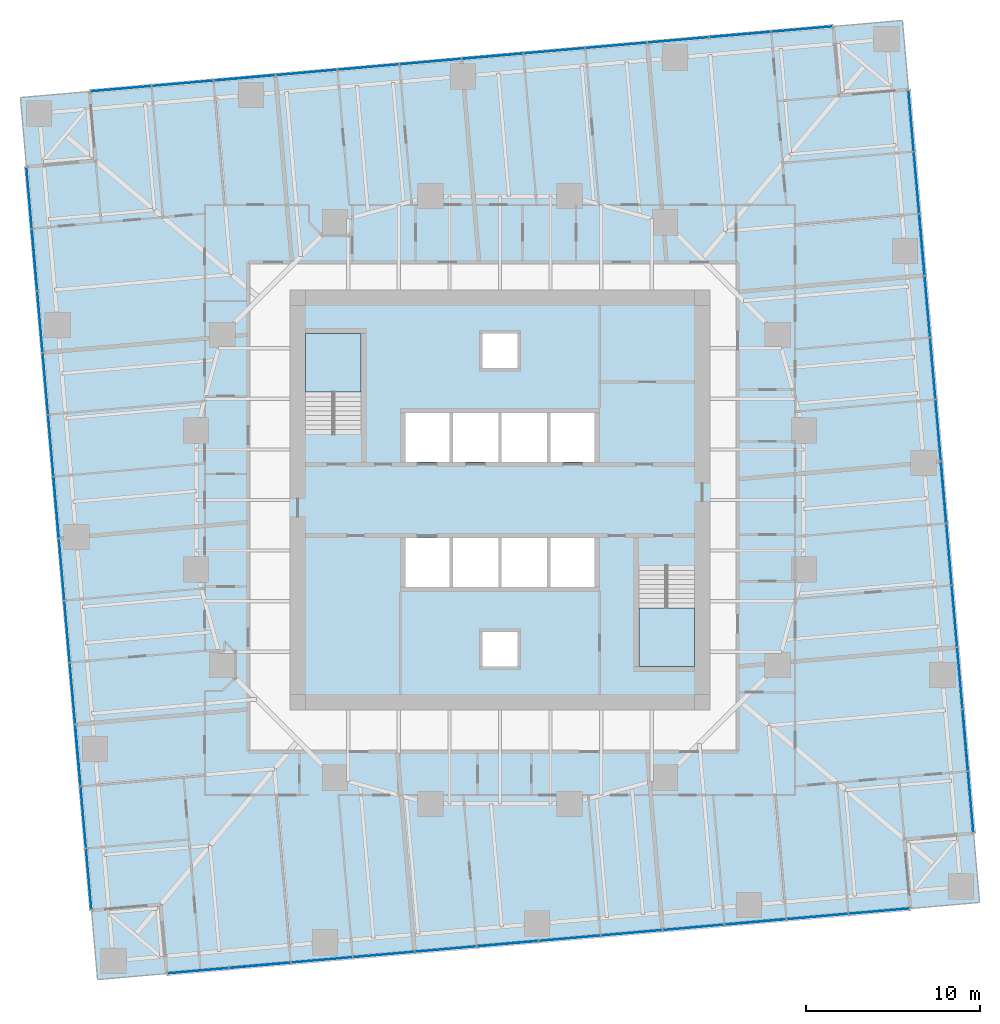
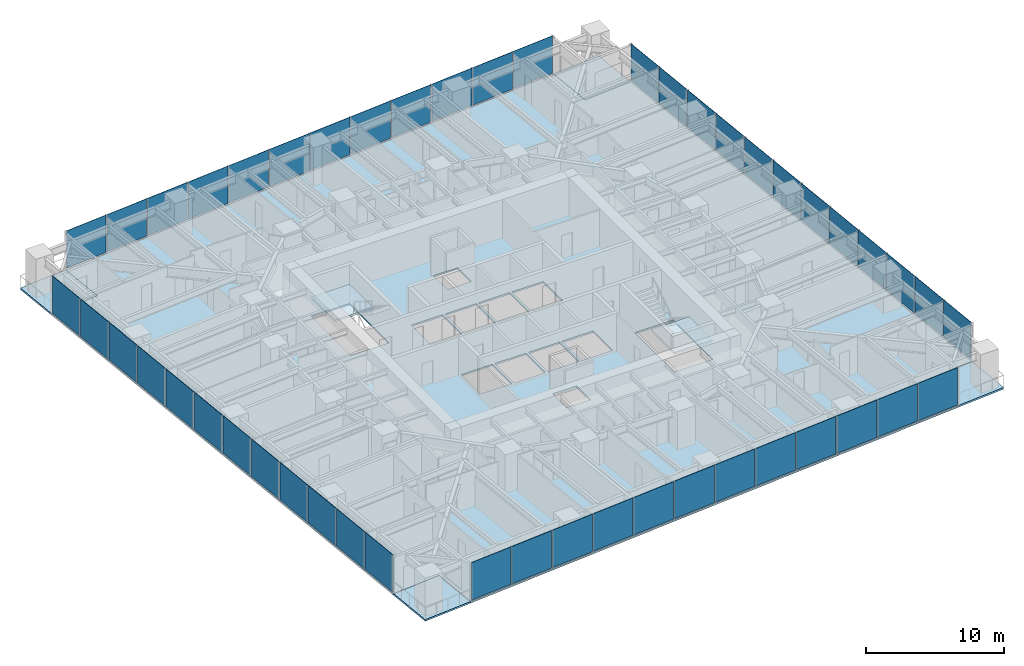
# One storey, part 7 of 14: 48 plates, 7 slabs, 6 elements without a shape of their own.
"""IFC4 building model written with IfcOpenShell, lengths in metres."""

import ifcopenshell
import ifcopenshell.guid

model = None  # the IFC model being written
_history = None  # IfcOwnerHistory: only IFC2X3 demands one
_inside = {}  # id of a spatial element -> (the spatial element, [elements in it])
_under = {}  # id of a project, library or spatial element -> (it, [spatial elements below it])
_declared = {}  # id of a project -> (the project, [libraries it declares])
_typed = {}  # id of a type object -> (the type object, [elements of that type])
_made_of = {}  # id of a material, layer set ... -> (it, [elements and type objects made of it])


def new_model(schema):
    """Start an empty IFC model of exactly this schema.

    Asked for "IFC4X3", IfcOpenShell would pick the latest addendum, in which some entities
    have other attributes; the version numbers below select the first issue.
    IFC2X3 requires an IfcOwnerHistory on every rooted entity: one is made here for all.
    """
    global model, _history
    if schema == "IFC4X3":
        model = ifcopenshell.file(schema_version=(4, 3, 0, 0))
    else:
        model = ifcopenshell.file(schema=schema)
    _inside.clear()
    _under.clear()
    _declared.clear()
    _typed.clear()
    _made_of.clear()
    _history = None
    if model.schema == "IFC2X3":
        org = make("IfcOrganization", Name="unknown")
        user = make(
            "IfcPersonAndOrganization",
            ThePerson=make("IfcPerson", FamilyName="unknown"),
            TheOrganization=org,
        )
        app = make(
            "IfcApplication",
            ApplicationDeveloper=org,
            Version="unknown",
            ApplicationFullName="unknown",
            ApplicationIdentifier="unknown",
        )
        _history = make(
            "IfcOwnerHistory",
            OwningUser=user,
            OwningApplication=app,
            ChangeAction="ADDED",
            CreationDate=0,
        )
    return model


def make(cls, **values):
    """One entity of the class cls with the attributes given. An attribute that is None is left unset."""
    return model.create_entity(
        cls, **{name: value for name, value in values.items() if value is not None}
    )


def rooted(cls, **values):
    """An entity with a GlobalId (a new one), such as an element, a storey or a relation."""
    return make(cls, GlobalId=ifcopenshell.guid.new(), OwnerHistory=_history, **values)


def si_unit(unit_type, name, prefix=None):
    """IfcSIUnit, for example si_unit("LENGTHUNIT", "METRE", prefix="MILLI")."""
    return make("IfcSIUnit", UnitType=unit_type, Prefix=prefix, Name=name)


def assignment(units):
    """IfcUnitAssignment: the units of a project."""
    return None if units is None else make("IfcUnitAssignment", Units=units)


def point(xyz):
    """IfcCartesianPoint."""
    return None if xyz is None else make("IfcCartesianPoint", Coordinates=xyz)


def direction(xyz):
    """IfcDirection."""
    return None if xyz is None else make("IfcDirection", DirectionRatios=xyz)


def frame(location, z_axis=None, x_axis=None):
    """IfcAxis2Placement3D, a coordinate frame: its origin and axes. An axis left out is left unset."""
    return make(
        "IfcAxis2Placement3D",
        Location=point(location),
        Axis=direction(z_axis),
        RefDirection=direction(x_axis),
    )


def frame_2d(location, x_axis=None):
    """IfcAxis2Placement2D, a coordinate frame in the plane: its origin and x axis."""
    return make(
        "IfcAxis2Placement2D", Location=point(location), RefDirection=direction(x_axis)
    )


def origin():
    """The frame at (0, 0, 0) with its axes left unset."""
    return frame((0.0, 0.0, 0.0))


def origin_2d():
    """The frame at (0, 0) in the plane with its x axis left unset."""
    return frame_2d((0.0, 0.0))


def place(relative_to, where):
    """IfcLocalPlacement: puts the frame where relative to a parent placement (None: the world)."""
    return make(
        "IfcLocalPlacement", PlacementRelTo=relative_to, RelativePlacement=where
    )


def context(
    kind, dimensions, precision=None, world=None, true_north=None, identifier=None
):
    """IfcGeometricRepresentationContext, for example the 3D "Model" context."""
    return make(
        "IfcGeometricRepresentationContext",
        ContextIdentifier=identifier,
        ContextType=kind,
        CoordinateSpaceDimension=dimensions,
        Precision=precision,
        WorldCoordinateSystem=world,
        TrueNorth=true_north,
    )


def subcontext(parent, identifier, kind, view, scale=None):
    """IfcGeometricRepresentationSubContext, for example "Body" below "Model"."""
    return make(
        "IfcGeometricRepresentationSubContext",
        ContextIdentifier=identifier,
        ContextType=kind,
        ParentContext=parent,
        TargetScale=scale,
        TargetView=view,
    )


def project(units=None, contexts=None):
    """IfcProject with its units and contexts."""
    return rooted(
        "IfcProject",
        Name="project",
        RepresentationContexts=contexts,
        UnitsInContext=assignment(units),
    )


def spatial(cls, under=None, at=None, **own):
    """A site, building, storey or space (cls), placed at a placement, below another one or the project."""
    s = rooted(cls, ObjectPlacement=at, **own)
    if under is not None:
        _under.setdefault(under.id(), (under, []))[1].append(s)
    return s


def polyline(points):
    """IfcPolyline through the points."""
    return make("IfcPolyline", Points=[point(p) for p in points])


def profile(cls, at=None, kind="AREA", **sizes):
    """A parametric profile (cls). Its sizes go by their IFC names, for example OverallWidth=200.0."""
    return make(cls, ProfileType=kind, Position=at, **sizes)


def rectangle(**sizes):
    """IfcRectangleProfileDef."""
    return profile("IfcRectangleProfileDef", **sizes)


def outline(outer, holes=None, kind="AREA"):
    """IfcArbitraryClosedProfileDef: a profile drawn as a closed curve; with holes, ...WithVoids."""
    if holes is None:
        return make("IfcArbitraryClosedProfileDef", ProfileType=kind, OuterCurve=outer)
    return make(
        "IfcArbitraryProfileDefWithVoids",
        ProfileType=kind,
        OuterCurve=outer,
        InnerCurves=holes,
    )


def extrude(swept, where, along, depth):
    """IfcExtrudedAreaSolid: the profile swept, set in the frame where, extruded along a direction by depth."""
    return make(
        "IfcExtrudedAreaSolid",
        SweptArea=swept,
        Position=where,
        ExtrudedDirection=direction(along),
        Depth=depth,
    )


def shape(context_of_items, identifier, shape_type, items):
    """IfcShapeRepresentation: the items that make up one representation, for example the "Body"."""
    return make(
        "IfcShapeRepresentation",
        ContextOfItems=context_of_items,
        RepresentationIdentifier=identifier,
        RepresentationType=shape_type,
        Items=items,
    )


def material(Name=None, Category=None):
    """IfcMaterial."""
    return make("IfcMaterial", Name=Name, Category=Category)


def layer(
    of_material, thickness, ventilated=None, Name=None, Category=None, Priority=None
):
    """IfcMaterialLayer: one layer of a wall or slab, of a material (None: an air gap)."""
    return make(
        "IfcMaterialLayer",
        Material=of_material,
        LayerThickness=thickness,
        IsVentilated=ventilated,
        Name=Name,
        Category=Category,
        Priority=Priority,
    )


def layer_set(layers, Name=None):
    """IfcMaterialLayerSet."""
    return make("IfcMaterialLayerSet", MaterialLayers=layers, LayerSetName=Name)


def made_of(thing, what):
    """Note that an element or type object is made of a material, layer set ...; save() writes the relation."""
    if what is not None:
        _made_of.setdefault(what.id(), (what, []))[1].append(thing)
    return thing


def type_object(cls, material=None, **own):
    """A type object (cls), such as IfcWallType, which elements share."""
    return made_of(rooted(cls, **own), material)


def element(
    cls,
    number,
    at=None,
    inside=None,
    cuts=None,
    type_object=None,
    material=None,
    context=None,
    identifier="Body",
    shape_type=None,
    held_by="IfcProductDefinitionShape",
    body=None,
    shapes=None,
    **own,
):
    """One element of the class cls, such as IfcWall. Its Tag is "e" and its number.

    at: its placement. inside: the storey or other place that contains it. cuts: it is an
    opening in that element (IfcRelVoidsElement). A single representation is given by context,
    identifier, shape_type and body (its items); several are given by shapes. held_by: the class
    of the entity that holds the representations. save() writes the other relations.
    """
    e = rooted(cls, Tag="e%d" % number, ObjectPlacement=at, **own)
    if body is not None:
        shapes = [shape(context, identifier, shape_type, body)]
    if shapes is not None:
        e.Representation = make(held_by, Representations=shapes)
    if inside is not None:
        _inside.setdefault(inside.id(), (inside, []))[1].append(e)
    if cuts is not None:
        rooted(
            "IfcRelVoidsElement", RelatingBuildingElement=cuts, RelatedOpeningElement=e
        )
    if type_object is not None:
        _typed.setdefault(type_object.id(), (type_object, []))[1].append(e)
    return made_of(e, material)


def aggregate(whole, parts):
    """IfcRelAggregates: a whole, such as a stair, and the parts it consists of."""
    return rooted("IfcRelAggregates", RelatingObject=whole, RelatedObjects=parts)


def save(model, path):
    """Write the relations noted so far, then the file.

    IfcRelAggregates (storeys below a building ...), IfcRelContainedInSpatialStructure (elements
    in a storey), IfcRelDefinesByType, IfcRelAssociatesMaterial and IfcRelDeclares: one each for
    every whole, place, type object, material and project.
    """
    for whole, parts in _under.values():
        aggregate(whole, parts)
    for where, things in _inside.values():
        rooted(
            "IfcRelContainedInSpatialStructure",
            RelatedElements=things,
            RelatingStructure=where,
        )
    for kind, things in _typed.values():
        rooted("IfcRelDefinesByType", RelatedObjects=things, RelatingType=kind)
    for what, things in _made_of.values():
        rooted("IfcRelAssociatesMaterial", RelatedObjects=things, RelatingMaterial=what)
    for by, libraries in _declared.values():
        rooted("IfcRelDeclares", RelatingContext=by, RelatedDefinitions=libraries)
    model.write(path)


model = new_model("IFC4")

# Units and contexts
model_context = context("Model", 3, precision=1e-05, world=origin(), true_north=direction((0.0, 1.0)))
body_context = subcontext(model_context, "Body", "Model", "MODEL_VIEW")
ifc_project = project(units=[si_unit("LENGTHUNIT", "METRE"), si_unit("AREAUNIT", "SQUARE_METRE"), si_unit("VOLUMEUNIT", "CUBIC_METRE"), si_unit("PLANEANGLEUNIT", "RADIAN"), si_unit("MASSUNIT", "GRAM", prefix="KILO")], contexts=[model_context])

# Site, building, storey
site_placement = place(None, origin())
site = spatial("IfcSite", under=ifc_project, at=site_placement, CompositionType="ELEMENT")
building_placement = place(site_placement, origin())
building = spatial("IfcBuilding", under=site, at=building_placement, Name="Torsade Residences", CompositionType="ELEMENT")
storey_placement = place(building_placement, frame((0.0, 0.0, 54.0)))
storey = spatial("IfcBuildingStorey", under=building, at=storey_placement, Name="L14", CompositionType="ELEMENT", Elevation=54.0)

# Slab
ifc_material_1 = material(Name="Concrete 40 MPa", Category="concrete")
ifc_layer_1 = layer(ifc_material_1, 0.14990234375)
ifc_layer_set_1 = layer_set([ifc_layer_1], Name="Concrete 40 MPa")
slab_type_1 = type_object("IfcSlabType", Name="COMPOSITE FLOOR SLAB 150", PredefinedType="FLOOR", material=ifc_layer_set_1)
slab_1_placement = place(storey_placement, frame((0.0, 0.0, -0.14990234375)))
element("IfcSlab", 1, at=slab_1_placement, inside=storey, type_object=slab_type_1, Name="Floor slab L14", PredefinedType="FLOOR", context=body_context, shape_type="SweptSolid", body=[
    extrude(outline(polyline([(20.80419921875, 2.72314453125), (63.640625, 6.470947265625), (63.2919921875, 10.45556640625), (67.27685546875, 10.80419921875), (63.529052734375, 53.640625), (59.54443359375, 53.2919921875), (59.19580078125, 57.27685546875), (16.359375, 53.529052734375), (16.7080078125, 49.54443359375), (12.72314453125, 49.19580078125), (16.470947265625, 6.359375), (20.45556640625, 6.7080078125), (20.80419921875, 2.72314453125)]), holes=[polyline([(51.199951171875, 20.39990234375), (51.199951171875, 26.1201171875), (48.0, 26.1201171875), (48.0, 20.39990234375), (51.199951171875, 20.39990234375)]), polyline([(45.5, 27.800048828125), (42.89990234375, 27.800048828125), (42.89990234375, 25.0), (45.5, 25.0), (45.5, 27.800048828125)]), polyline([(45.5, 32.199951171875), (45.5, 35.0), (42.89990234375, 35.0), (42.89990234375, 32.199951171875), (45.5, 32.199951171875)]), polyline([(42.699951171875, 25.0), (42.699951171875, 27.800048828125), (40.10009765625, 27.800048828125), (40.10009765625, 25.0), (42.699951171875, 25.0)]), polyline([(42.699951171875, 32.199951171875), (42.699951171875, 35.0), (40.10009765625, 35.0), (40.10009765625, 32.199951171875), (42.699951171875, 32.199951171875)]), polyline([(41.0, 22.39990234375), (39.0, 22.39990234375), (39.0, 20.39990234375), (41.0, 20.39990234375), (41.0, 22.39990234375)]), polyline([(41.0, 37.60009765625), (41.0, 39.60009765625), (39.0, 39.60009765625), (39.0, 37.60009765625), (41.0, 37.60009765625)]), polyline([(39.89990234375, 25.0), (39.89990234375, 27.800048828125), (37.300048828125, 27.800048828125), (37.300048828125, 25.0), (39.89990234375, 25.0)]), polyline([(39.89990234375, 35.0), (37.300048828125, 35.0), (37.300048828125, 32.199951171875), (39.89990234375, 32.199951171875), (39.89990234375, 35.0)]), polyline([(37.10009765625, 27.800048828125), (34.5, 27.800048828125), (34.5, 25.0), (37.10009765625, 25.0), (37.10009765625, 27.800048828125)]), polyline([(37.10009765625, 32.199951171875), (37.10009765625, 35.0), (34.5, 35.0), (34.5, 32.199951171875), (37.10009765625, 32.199951171875)]), polyline([(32.0, 33.8798828125), (32.0, 39.60009765625), (28.800048828125, 39.60009765625), (28.800048828125, 33.8798828125), (32.0, 33.8798828125)])]), origin(), (0.0, 0.0, 1.0), 0.14990234375),
])

# Curtain wall, plates
ifc_material_2 = material(Name="Aluminium and glass", Category="aluminium")
curtain_wall_type = type_object("IfcCurtainWallType", Name="FRITTED GLASS CURTAIN WALL LOW ZONE", PredefinedType="NOTDEFINED", material=ifc_material_2)
curtain_wall_1_placement = place(storey_placement, origin())
curtain_wall_1 = element("IfcCurtainWall", 2, at=curtain_wall_1_placement, inside=storey, type_object=curtain_wall_type, Name="Curtain wall L14 face 1", PredefinedType="NOTDEFINED")
ifc_material_3 = material(Name="Laminated glass", Category="glass")
ifc_layer_2 = layer(ifc_material_3, 0.031982421875)
ifc_layer_set_2 = layer_set([ifc_layer_2], Name="Laminated glass")
plate_type_1 = type_object("IfcPlateType", Name="FRITTED GLASS PANEL", PredefinedType="CURTAIN_PANEL", material=ifc_layer_set_2)
plate_1_placement = place(storey_placement, frame((22.605224609375, 2.880859375, 0.10009765625), z_axis=(0.0, 0.0, 1.0), x_axis=(0.996194697964, 0.087155744208, 0.0)))
plate_1 = element("IfcPlate", 3, at=plate_1_placement, type_object=plate_type_1, Name="Panel 1", PredefinedType="CURTAIN_PANEL", context=body_context, shape_type="SweptSolid", body=[
    extrude(rectangle(XDim=3.48583984375, YDim=0.031982421875, at=origin_2d()), origin(), (0.0, 0.0, 1.0), 3.300048828125),
])
plate_2_placement = place(storey_placement, frame((29.728515625, 3.50390625, 0.10009765625), z_axis=(0.0, 0.0, 1.0), x_axis=(0.996194697964, 0.087155744208, 0.0)))
plate_2 = element("IfcPlate", 4, at=plate_2_placement, type_object=plate_type_1, Name="Panel 3", PredefinedType="CURTAIN_PANEL", context=body_context, shape_type="SweptSolid", body=[
    extrude(rectangle(XDim=3.518310546875, YDim=0.031982421875, at=origin_2d()), origin(), (0.0, 0.0, 1.0), 3.300048828125),
])
plate_3_placement = place(storey_placement, frame((33.29833984375, 3.816162109375, 0.10009765625), z_axis=(0.0, 0.0, 1.0), x_axis=(0.996194697964, 0.087155744208, 0.0)))
plate_3 = element("IfcPlate", 5, at=plate_3_placement, type_object=plate_type_1, Name="Panel 4", PredefinedType="CURTAIN_PANEL", context=body_context, shape_type="SweptSolid", body=[
    extrude(rectangle(XDim=3.518310546875, YDim=0.031982421875, at=origin_2d()), origin(), (0.0, 0.0, 1.0), 3.300048828125),
])
plate_4_placement = place(storey_placement, frame((36.867919921875, 4.128662109375, 0.10009765625), z_axis=(0.0, 0.0, 1.0), x_axis=(0.996194697964, 0.087155744208, 0.0)))
plate_4 = element("IfcPlate", 6, at=plate_4_placement, type_object=plate_type_1, Name="Panel 5", PredefinedType="CURTAIN_PANEL", context=body_context, shape_type="SweptSolid", body=[
    extrude(rectangle(XDim=3.518310546875, YDim=0.031982421875, at=origin_2d()), origin(), (0.0, 0.0, 1.0), 3.300048828125),
])
plate_5_placement = place(storey_placement, frame((44.00732421875, 4.753173828125, 0.10009765625), z_axis=(0.0, 0.0, 1.0), x_axis=(0.996194697964, 0.087155744208, 0.0)))
plate_5 = element("IfcPlate", 7, at=plate_5_placement, type_object=plate_type_1, Name="Panel 7", PredefinedType="CURTAIN_PANEL", context=body_context, shape_type="SweptSolid", body=[
    extrude(rectangle(XDim=3.518310546875, YDim=0.031982421875, at=origin_2d()), origin(), (0.0, 0.0, 1.0), 3.300048828125),
])
plate_6_placement = place(storey_placement, frame((47.576904296875, 5.0654296875, 0.10009765625), z_axis=(0.0, 0.0, 1.0), x_axis=(0.996194697964, 0.087155744208, 0.0)))
plate_6 = element("IfcPlate", 8, at=plate_6_placement, type_object=plate_type_1, Name="Panel 8", PredefinedType="CURTAIN_PANEL", context=body_context, shape_type="SweptSolid", body=[
    extrude(rectangle(XDim=3.518310546875, YDim=0.031982421875, at=origin_2d()), origin(), (0.0, 0.0, 1.0), 3.300048828125),
])
plate_7_placement = place(storey_placement, frame((51.146728515625, 5.377685546875, 0.10009765625), z_axis=(0.0, 0.0, 1.0), x_axis=(0.996194697964, 0.087155744208, 0.0)))
plate_7 = element("IfcPlate", 9, at=plate_7_placement, type_object=plate_type_1, Name="Panel 9", PredefinedType="CURTAIN_PANEL", context=body_context, shape_type="SweptSolid", body=[
    extrude(rectangle(XDim=3.518310546875, YDim=0.031982421875, at=origin_2d()), origin(), (0.0, 0.0, 1.0), 3.300048828125),
])
plate_8_placement = place(storey_placement, frame((58.2861328125, 6.00244140625, 0.10009765625), z_axis=(0.0, 0.0, 1.0), x_axis=(0.996194697964, 0.087155744208, 0.0)))
plate_8 = element("IfcPlate", 10, at=plate_8_placement, type_object=plate_type_1, Name="Panel 11", PredefinedType="CURTAIN_PANEL", context=body_context, shape_type="SweptSolid", body=[
    extrude(rectangle(XDim=3.518310546875, YDim=0.031982421875, at=origin_2d()), origin(), (0.0, 0.0, 1.0), 3.300048828125),
])
plate_9_placement = place(storey_placement, frame((61.839599609375, 6.313232421875, 0.10009765625), z_axis=(0.0, 0.0, 1.0), x_axis=(0.996194697964, 0.087155744208, 0.0)))
plate_9 = element("IfcPlate", 11, at=plate_9_placement, type_object=plate_type_1, Name="Panel 12", PredefinedType="CURTAIN_PANEL", context=body_context, shape_type="SweptSolid", body=[
    extrude(rectangle(XDim=3.48583984375, YDim=0.031982421875, at=origin_2d()), origin(), (0.0, 0.0, 1.0), 3.300048828125),
])

curtain_wall_2_placement = place(storey_placement, origin())
curtain_wall_2 = element("IfcCurtainWall", 12, at=curtain_wall_2_placement, inside=storey, type_object=curtain_wall_type, Name="Curtain wall L14 face 4", PredefinedType="NOTDEFINED")
plate_10_placement = place(storey_placement, frame((67.119140625, 12.605224609375, 0.10009765625), z_axis=(0.0, 0.0, 1.0), x_axis=(-0.087155744208, 0.996194697964, 0.0)))
plate_10 = element("IfcPlate", 13, at=plate_10_placement, type_object=plate_type_1, Name="Panel 1", PredefinedType="CURTAIN_PANEL", context=body_context, shape_type="SweptSolid", body=[
    extrude(rectangle(XDim=3.48583984375, YDim=0.031982421875, at=origin_2d()), origin(), (0.0, 0.0, 1.0), 3.300048828125),
])
plate_11_placement = place(storey_placement, frame((66.49609375, 19.728515625, 0.10009765625), z_axis=(0.0, 0.0, 1.0), x_axis=(-0.087155744208, 0.996194697964, 0.0)))
plate_11 = element("IfcPlate", 14, at=plate_11_placement, type_object=plate_type_1, Name="Panel 3", PredefinedType="CURTAIN_PANEL", context=body_context, shape_type="SweptSolid", body=[
    extrude(rectangle(XDim=3.518310546875, YDim=0.031982421875, at=origin_2d()), origin(), (0.0, 0.0, 1.0), 3.300048828125),
])
plate_12_placement = place(storey_placement, frame((66.183837890625, 23.29833984375, 0.10009765625), z_axis=(0.0, 0.0, 1.0), x_axis=(-0.087155744208, 0.996194697964, 0.0)))
plate_12 = element("IfcPlate", 15, at=plate_12_placement, type_object=plate_type_1, Name="Panel 4", PredefinedType="CURTAIN_PANEL", context=body_context, shape_type="SweptSolid", body=[
    extrude(rectangle(XDim=3.518310546875, YDim=0.031982421875, at=origin_2d()), origin(), (0.0, 0.0, 1.0), 3.300048828125),
])
plate_13_placement = place(storey_placement, frame((65.871337890625, 26.867919921875, 0.10009765625), z_axis=(0.0, 0.0, 1.0), x_axis=(-0.087155744208, 0.996194697964, 0.0)))
plate_13 = element("IfcPlate", 16, at=plate_13_placement, type_object=plate_type_1, Name="Panel 5", PredefinedType="CURTAIN_PANEL", context=body_context, shape_type="SweptSolid", body=[
    extrude(rectangle(XDim=3.518310546875, YDim=0.031982421875, at=origin_2d()), origin(), (0.0, 0.0, 1.0), 3.300048828125),
])
plate_14_placement = place(storey_placement, frame((65.246826171875, 34.00732421875, 0.10009765625), z_axis=(0.0, 0.0, 1.0), x_axis=(-0.087155744208, 0.996194697964, 0.0)))
plate_14 = element("IfcPlate", 17, at=plate_14_placement, type_object=plate_type_1, Name="Panel 7", PredefinedType="CURTAIN_PANEL", context=body_context, shape_type="SweptSolid", body=[
    extrude(rectangle(XDim=3.518310546875, YDim=0.031982421875, at=origin_2d()), origin(), (0.0, 0.0, 1.0), 3.300048828125),
])
plate_15_placement = place(storey_placement, frame((64.9345703125, 37.576904296875, 0.10009765625), z_axis=(0.0, 0.0, 1.0), x_axis=(-0.087155744208, 0.996194697964, 0.0)))
plate_15 = element("IfcPlate", 18, at=plate_15_placement, type_object=plate_type_1, Name="Panel 8", PredefinedType="CURTAIN_PANEL", context=body_context, shape_type="SweptSolid", body=[
    extrude(rectangle(XDim=3.518310546875, YDim=0.031982421875, at=origin_2d()), origin(), (0.0, 0.0, 1.0), 3.300048828125),
])
plate_16_placement = place(storey_placement, frame((64.622314453125, 41.146728515625, 0.10009765625), z_axis=(0.0, 0.0, 1.0), x_axis=(-0.087155744208, 0.996194697964, 0.0)))
plate_16 = element("IfcPlate", 19, at=plate_16_placement, type_object=plate_type_1, Name="Panel 9", PredefinedType="CURTAIN_PANEL", context=body_context, shape_type="SweptSolid", body=[
    extrude(rectangle(XDim=3.518310546875, YDim=0.031982421875, at=origin_2d()), origin(), (0.0, 0.0, 1.0), 3.300048828125),
])
plate_17_placement = place(storey_placement, frame((63.99755859375, 48.2861328125, 0.10009765625), z_axis=(0.0, 0.0, 1.0), x_axis=(-0.087155744208, 0.996194697964, 0.0)))
plate_17 = element("IfcPlate", 20, at=plate_17_placement, type_object=plate_type_1, Name="Panel 11", PredefinedType="CURTAIN_PANEL", context=body_context, shape_type="SweptSolid", body=[
    extrude(rectangle(XDim=3.518310546875, YDim=0.031982421875, at=origin_2d()), origin(), (0.0, 0.0, 1.0), 3.300048828125),
])
plate_18_placement = place(storey_placement, frame((63.686767578125, 51.839599609375, 0.10009765625), z_axis=(0.0, 0.0, 1.0), x_axis=(-0.087155744208, 0.996194697964, 0.0)))
plate_18 = element("IfcPlate", 21, at=plate_18_placement, type_object=plate_type_1, Name="Panel 12", PredefinedType="CURTAIN_PANEL", context=body_context, shape_type="SweptSolid", body=[
    extrude(rectangle(XDim=3.48583984375, YDim=0.031982421875, at=origin_2d()), origin(), (0.0, 0.0, 1.0), 3.300048828125),
])

curtain_wall_3_placement = place(storey_placement, origin())
curtain_wall_3 = element("IfcCurtainWall", 22, at=curtain_wall_3_placement, inside=storey, type_object=curtain_wall_type, Name="Curtain wall L14 face 7", PredefinedType="NOTDEFINED")
plate_19_placement = place(storey_placement, frame((57.394775390625, 57.119140625, 0.10009765625), z_axis=(0.0, 0.0, 1.0), x_axis=(-0.996194697964, -0.087155744208, 0.0)))
plate_19 = element("IfcPlate", 23, at=plate_19_placement, type_object=plate_type_1, Name="Panel 1", PredefinedType="CURTAIN_PANEL", context=body_context, shape_type="SweptSolid", body=[
    extrude(rectangle(XDim=3.48583984375, YDim=0.031982421875, at=origin_2d()), origin(), (0.0, 0.0, 1.0), 3.300048828125),
])
plate_20_placement = place(storey_placement, frame((50.271484375, 56.49609375, 0.10009765625), z_axis=(0.0, 0.0, 1.0), x_axis=(-0.996194697964, -0.087155744208, 0.0)))
plate_20 = element("IfcPlate", 24, at=plate_20_placement, type_object=plate_type_1, Name="Panel 3", PredefinedType="CURTAIN_PANEL", context=body_context, shape_type="SweptSolid", body=[
    extrude(rectangle(XDim=3.518310546875, YDim=0.031982421875, at=origin_2d()), origin(), (0.0, 0.0, 1.0), 3.300048828125),
])
plate_21_placement = place(storey_placement, frame((46.70166015625, 56.183837890625, 0.10009765625), z_axis=(0.0, 0.0, 1.0), x_axis=(-0.996194697964, -0.087155744208, 0.0)))
plate_21 = element("IfcPlate", 25, at=plate_21_placement, type_object=plate_type_1, Name="Panel 4", PredefinedType="CURTAIN_PANEL", context=body_context, shape_type="SweptSolid", body=[
    extrude(rectangle(XDim=3.518310546875, YDim=0.031982421875, at=origin_2d()), origin(), (0.0, 0.0, 1.0), 3.300048828125),
])
plate_22_placement = place(storey_placement, frame((43.132080078125, 55.871337890625, 0.10009765625), z_axis=(0.0, 0.0, 1.0), x_axis=(-0.996194697964, -0.087155744208, 0.0)))
plate_22 = element("IfcPlate", 26, at=plate_22_placement, type_object=plate_type_1, Name="Panel 5", PredefinedType="CURTAIN_PANEL", context=body_context, shape_type="SweptSolid", body=[
    extrude(rectangle(XDim=3.518310546875, YDim=0.031982421875, at=origin_2d()), origin(), (0.0, 0.0, 1.0), 3.300048828125),
])
plate_23_placement = place(storey_placement, frame((35.99267578125, 55.246826171875, 0.10009765625), z_axis=(0.0, 0.0, 1.0), x_axis=(-0.996194697964, -0.087155744208, 0.0)))
plate_23 = element("IfcPlate", 27, at=plate_23_placement, type_object=plate_type_1, Name="Panel 7", PredefinedType="CURTAIN_PANEL", context=body_context, shape_type="SweptSolid", body=[
    extrude(rectangle(XDim=3.518310546875, YDim=0.031982421875, at=origin_2d()), origin(), (0.0, 0.0, 1.0), 3.300048828125),
])
plate_24_placement = place(storey_placement, frame((32.423095703125, 54.9345703125, 0.10009765625), z_axis=(0.0, 0.0, 1.0), x_axis=(-0.996194697964, -0.087155744208, 0.0)))
plate_24 = element("IfcPlate", 28, at=plate_24_placement, type_object=plate_type_1, Name="Panel 8", PredefinedType="CURTAIN_PANEL", context=body_context, shape_type="SweptSolid", body=[
    extrude(rectangle(XDim=3.518310546875, YDim=0.031982421875, at=origin_2d()), origin(), (0.0, 0.0, 1.0), 3.300048828125),
])
plate_25_placement = place(storey_placement, frame((28.853271484375, 54.622314453125, 0.10009765625), z_axis=(0.0, 0.0, 1.0), x_axis=(-0.996194697964, -0.087155744208, 0.0)))
plate_25 = element("IfcPlate", 29, at=plate_25_placement, type_object=plate_type_1, Name="Panel 9", PredefinedType="CURTAIN_PANEL", context=body_context, shape_type="SweptSolid", body=[
    extrude(rectangle(XDim=3.518310546875, YDim=0.031982421875, at=origin_2d()), origin(), (0.0, 0.0, 1.0), 3.300048828125),
])
plate_26_placement = place(storey_placement, frame((21.7138671875, 53.99755859375, 0.10009765625), z_axis=(0.0, 0.0, 1.0), x_axis=(-0.996194697964, -0.087155744208, 0.0)))
plate_26 = element("IfcPlate", 30, at=plate_26_placement, type_object=plate_type_1, Name="Panel 11", PredefinedType="CURTAIN_PANEL", context=body_context, shape_type="SweptSolid", body=[
    extrude(rectangle(XDim=3.518310546875, YDim=0.031982421875, at=origin_2d()), origin(), (0.0, 0.0, 1.0), 3.300048828125),
])
plate_27_placement = place(storey_placement, frame((18.160400390625, 53.686767578125, 0.10009765625), z_axis=(0.0, 0.0, 1.0), x_axis=(-0.996194697964, -0.087155744208, 0.0)))
plate_27 = element("IfcPlate", 31, at=plate_27_placement, type_object=plate_type_1, Name="Panel 12", PredefinedType="CURTAIN_PANEL", context=body_context, shape_type="SweptSolid", body=[
    extrude(rectangle(XDim=3.48583984375, YDim=0.031982421875, at=origin_2d()), origin(), (0.0, 0.0, 1.0), 3.300048828125),
])

curtain_wall_4_placement = place(storey_placement, origin())
curtain_wall_4 = element("IfcCurtainWall", 32, at=curtain_wall_4_placement, inside=storey, type_object=curtain_wall_type, Name="Curtain wall L14 face 10", PredefinedType="NOTDEFINED")
plate_28_placement = place(storey_placement, frame((12.880859375, 47.394775390625, 0.10009765625), z_axis=(0.0, 0.0, 1.0), x_axis=(0.087155744208, -0.996194697964, 0.0)))
plate_28 = element("IfcPlate", 33, at=plate_28_placement, type_object=plate_type_1, Name="Panel 1", PredefinedType="CURTAIN_PANEL", context=body_context, shape_type="SweptSolid", body=[
    extrude(rectangle(XDim=3.48583984375, YDim=0.031982421875, at=origin_2d()), origin(), (0.0, 0.0, 1.0), 3.300048828125),
])
plate_29_placement = place(storey_placement, frame((13.50390625, 40.271484375, 0.10009765625), z_axis=(0.0, 0.0, 1.0), x_axis=(0.087155744208, -0.996194697964, 0.0)))
plate_29 = element("IfcPlate", 34, at=plate_29_placement, type_object=plate_type_1, Name="Panel 3", PredefinedType="CURTAIN_PANEL", context=body_context, shape_type="SweptSolid", body=[
    extrude(rectangle(XDim=3.518310546875, YDim=0.031982421875, at=origin_2d()), origin(), (0.0, 0.0, 1.0), 3.300048828125),
])
plate_30_placement = place(storey_placement, frame((13.816162109375, 36.70166015625, 0.10009765625), z_axis=(0.0, 0.0, 1.0), x_axis=(0.087155744208, -0.996194697964, 0.0)))
plate_30 = element("IfcPlate", 35, at=plate_30_placement, type_object=plate_type_1, Name="Panel 4", PredefinedType="CURTAIN_PANEL", context=body_context, shape_type="SweptSolid", body=[
    extrude(rectangle(XDim=3.518310546875, YDim=0.031982421875, at=origin_2d()), origin(), (0.0, 0.0, 1.0), 3.300048828125),
])
plate_31_placement = place(storey_placement, frame((14.128662109375, 33.132080078125, 0.10009765625), z_axis=(0.0, 0.0, 1.0), x_axis=(0.087155744208, -0.996194697964, 0.0)))
plate_31 = element("IfcPlate", 36, at=plate_31_placement, type_object=plate_type_1, Name="Panel 5", PredefinedType="CURTAIN_PANEL", context=body_context, shape_type="SweptSolid", body=[
    extrude(rectangle(XDim=3.518310546875, YDim=0.031982421875, at=origin_2d()), origin(), (0.0, 0.0, 1.0), 3.300048828125),
])
plate_32_placement = place(storey_placement, frame((14.753173828125, 25.99267578125, 0.10009765625), z_axis=(0.0, 0.0, 1.0), x_axis=(0.087155744208, -0.996194697964, 0.0)))
plate_32 = element("IfcPlate", 37, at=plate_32_placement, type_object=plate_type_1, Name="Panel 7", PredefinedType="CURTAIN_PANEL", context=body_context, shape_type="SweptSolid", body=[
    extrude(rectangle(XDim=3.518310546875, YDim=0.031982421875, at=origin_2d()), origin(), (0.0, 0.0, 1.0), 3.300048828125),
])
plate_33_placement = place(storey_placement, frame((15.0654296875, 22.423095703125, 0.10009765625), z_axis=(0.0, 0.0, 1.0), x_axis=(0.087155744208, -0.996194697964, 0.0)))
plate_33 = element("IfcPlate", 38, at=plate_33_placement, type_object=plate_type_1, Name="Panel 8", PredefinedType="CURTAIN_PANEL", context=body_context, shape_type="SweptSolid", body=[
    extrude(rectangle(XDim=3.518310546875, YDim=0.031982421875, at=origin_2d()), origin(), (0.0, 0.0, 1.0), 3.300048828125),
])
plate_34_placement = place(storey_placement, frame((15.377685546875, 18.853271484375, 0.10009765625), z_axis=(0.0, 0.0, 1.0), x_axis=(0.087155744208, -0.996194697964, 0.0)))
plate_34 = element("IfcPlate", 39, at=plate_34_placement, type_object=plate_type_1, Name="Panel 9", PredefinedType="CURTAIN_PANEL", context=body_context, shape_type="SweptSolid", body=[
    extrude(rectangle(XDim=3.518310546875, YDim=0.031982421875, at=origin_2d()), origin(), (0.0, 0.0, 1.0), 3.300048828125),
])
plate_35_placement = place(storey_placement, frame((16.00244140625, 11.7138671875, 0.10009765625), z_axis=(0.0, 0.0, 1.0), x_axis=(0.087155744208, -0.996194697964, 0.0)))
plate_35 = element("IfcPlate", 40, at=plate_35_placement, type_object=plate_type_1, Name="Panel 11", PredefinedType="CURTAIN_PANEL", context=body_context, shape_type="SweptSolid", body=[
    extrude(rectangle(XDim=3.518310546875, YDim=0.031982421875, at=origin_2d()), origin(), (0.0, 0.0, 1.0), 3.300048828125),
])
plate_36_placement = place(storey_placement, frame((16.313232421875, 8.160400390625, 0.10009765625), z_axis=(0.0, 0.0, 1.0), x_axis=(0.087155744208, -0.996194697964, 0.0)))
plate_36 = element("IfcPlate", 41, at=plate_36_placement, type_object=plate_type_1, Name="Panel 12", PredefinedType="CURTAIN_PANEL", context=body_context, shape_type="SweptSolid", body=[
    extrude(rectangle(XDim=3.48583984375, YDim=0.031982421875, at=origin_2d()), origin(), (0.0, 0.0, 1.0), 3.300048828125),
])

# Plate
ifc_material_4 = material(Name="Laminated glass", Category="glass")
ifc_layer_3 = layer(ifc_material_4, 0.0400390625)
ifc_layer_set_3 = layer_set([ifc_layer_3], Name="Laminated glass")
plate_type_2 = type_object("IfcPlateType", Name="OPERABLE VENT PANEL", PredefinedType="CURTAIN_PANEL", material=ifc_layer_set_3)
plate_37_placement = place(storey_placement, frame((26.158935546875, 3.191650390625, 0.10009765625), z_axis=(0.0, 0.0, 1.0), x_axis=(0.996194697964, 0.087155744208, 0.0)))
plate_37 = element("IfcPlate", 42, at=plate_37_placement, type_object=plate_type_2, Name="Panel 2", PredefinedType="CURTAIN_PANEL", context=body_context, shape_type="SweptSolid", body=[
    extrude(rectangle(XDim=3.518310546875, YDim=0.0400390625, at=origin_2d()), origin(), (0.0, 0.0, 1.0), 3.300048828125),
])

plate_38_placement = place(storey_placement, frame((40.437744140625, 4.44091796875, 0.10009765625), z_axis=(0.0, 0.0, 1.0), x_axis=(0.996194697964, 0.087155744208, 0.0)))
plate_38 = element("IfcPlate", 43, at=plate_38_placement, type_object=plate_type_2, Name="Panel 6", PredefinedType="CURTAIN_PANEL", context=body_context, shape_type="SweptSolid", body=[
    extrude(rectangle(XDim=3.518310546875, YDim=0.0400390625, at=origin_2d()), origin(), (0.0, 0.0, 1.0), 3.300048828125),
])

plate_39_placement = place(storey_placement, frame((54.71630859375, 5.690185546875, 0.10009765625), z_axis=(0.0, 0.0, 1.0), x_axis=(0.996194697964, 0.087155744208, 0.0)))
plate_39 = element("IfcPlate", 44, at=plate_39_placement, type_object=plate_type_2, Name="Panel 10", PredefinedType="CURTAIN_PANEL", context=body_context, shape_type="SweptSolid", body=[
    extrude(rectangle(XDim=3.518310546875, YDim=0.0400390625, at=origin_2d()), origin(), (0.0, 0.0, 1.0), 3.300048828125),
])

aggregate(curtain_wall_1, [plate_1, plate_37, plate_2, plate_3, plate_4, plate_38, plate_5, plate_6, plate_7, plate_39, plate_8, plate_9])

plate_40_placement = place(storey_placement, frame((66.808349609375, 16.158935546875, 0.10009765625), z_axis=(0.0, 0.0, 1.0), x_axis=(-0.087155744208, 0.996194697964, 0.0)))
plate_40 = element("IfcPlate", 45, at=plate_40_placement, type_object=plate_type_2, Name="Panel 2", PredefinedType="CURTAIN_PANEL", context=body_context, shape_type="SweptSolid", body=[
    extrude(rectangle(XDim=3.518310546875, YDim=0.0400390625, at=origin_2d()), origin(), (0.0, 0.0, 1.0), 3.300048828125),
])

plate_41_placement = place(storey_placement, frame((65.55908203125, 30.437744140625, 0.10009765625), z_axis=(0.0, 0.0, 1.0), x_axis=(-0.087155744208, 0.996194697964, 0.0)))
plate_41 = element("IfcPlate", 46, at=plate_41_placement, type_object=plate_type_2, Name="Panel 6", PredefinedType="CURTAIN_PANEL", context=body_context, shape_type="SweptSolid", body=[
    extrude(rectangle(XDim=3.518310546875, YDim=0.0400390625, at=origin_2d()), origin(), (0.0, 0.0, 1.0), 3.300048828125),
])

plate_42_placement = place(storey_placement, frame((64.309814453125, 44.71630859375, 0.10009765625), z_axis=(0.0, 0.0, 1.0), x_axis=(-0.087155744208, 0.996194697964, 0.0)))
plate_42 = element("IfcPlate", 47, at=plate_42_placement, type_object=plate_type_2, Name="Panel 10", PredefinedType="CURTAIN_PANEL", context=body_context, shape_type="SweptSolid", body=[
    extrude(rectangle(XDim=3.518310546875, YDim=0.0400390625, at=origin_2d()), origin(), (0.0, 0.0, 1.0), 3.300048828125),
])

aggregate(curtain_wall_2, [plate_10, plate_40, plate_11, plate_12, plate_13, plate_41, plate_14, plate_15, plate_16, plate_42, plate_17, plate_18])

plate_43_placement = place(storey_placement, frame((53.841064453125, 56.808349609375, 0.10009765625), z_axis=(0.0, 0.0, 1.0), x_axis=(-0.996194697964, -0.087155744208, 0.0)))
plate_43 = element("IfcPlate", 48, at=plate_43_placement, type_object=plate_type_2, Name="Panel 2", PredefinedType="CURTAIN_PANEL", context=body_context, shape_type="SweptSolid", body=[
    extrude(rectangle(XDim=3.518310546875, YDim=0.0400390625, at=origin_2d()), origin(), (0.0, 0.0, 1.0), 3.300048828125),
])

plate_44_placement = place(storey_placement, frame((39.562255859375, 55.55908203125, 0.10009765625), z_axis=(0.0, 0.0, 1.0), x_axis=(-0.996194697964, -0.087155744208, 0.0)))
plate_44 = element("IfcPlate", 49, at=plate_44_placement, type_object=plate_type_2, Name="Panel 6", PredefinedType="CURTAIN_PANEL", context=body_context, shape_type="SweptSolid", body=[
    extrude(rectangle(XDim=3.518310546875, YDim=0.0400390625, at=origin_2d()), origin(), (0.0, 0.0, 1.0), 3.300048828125),
])

plate_45_placement = place(storey_placement, frame((25.28369140625, 54.309814453125, 0.10009765625), z_axis=(0.0, 0.0, 1.0), x_axis=(-0.996194697964, -0.087155744208, 0.0)))
plate_45 = element("IfcPlate", 50, at=plate_45_placement, type_object=plate_type_2, Name="Panel 10", PredefinedType="CURTAIN_PANEL", context=body_context, shape_type="SweptSolid", body=[
    extrude(rectangle(XDim=3.518310546875, YDim=0.0400390625, at=origin_2d()), origin(), (0.0, 0.0, 1.0), 3.300048828125),
])

aggregate(curtain_wall_3, [plate_19, plate_43, plate_20, plate_21, plate_22, plate_44, plate_23, plate_24, plate_25, plate_45, plate_26, plate_27])

plate_46_placement = place(storey_placement, frame((13.191650390625, 43.841064453125, 0.10009765625), z_axis=(0.0, 0.0, 1.0), x_axis=(0.087155744208, -0.996194697964, 0.0)))
plate_46 = element("IfcPlate", 51, at=plate_46_placement, type_object=plate_type_2, Name="Panel 2", PredefinedType="CURTAIN_PANEL", context=body_context, shape_type="SweptSolid", body=[
    extrude(rectangle(XDim=3.518310546875, YDim=0.0400390625, at=origin_2d()), origin(), (0.0, 0.0, 1.0), 3.300048828125),
])

plate_47_placement = place(storey_placement, frame((14.44091796875, 29.562255859375, 0.10009765625), z_axis=(0.0, 0.0, 1.0), x_axis=(0.087155744208, -0.996194697964, 0.0)))
plate_47 = element("IfcPlate", 52, at=plate_47_placement, type_object=plate_type_2, Name="Panel 6", PredefinedType="CURTAIN_PANEL", context=body_context, shape_type="SweptSolid", body=[
    extrude(rectangle(XDim=3.518310546875, YDim=0.0400390625, at=origin_2d()), origin(), (0.0, 0.0, 1.0), 3.300048828125),
])

plate_48_placement = place(storey_placement, frame((15.690185546875, 15.28369140625, 0.10009765625), z_axis=(0.0, 0.0, 1.0), x_axis=(0.087155744208, -0.996194697964, 0.0)))
plate_48 = element("IfcPlate", 53, at=plate_48_placement, type_object=plate_type_2, Name="Panel 10", PredefinedType="CURTAIN_PANEL", context=body_context, shape_type="SweptSolid", body=[
    extrude(rectangle(XDim=3.518310546875, YDim=0.0400390625, at=origin_2d()), origin(), (0.0, 0.0, 1.0), 3.300048828125),
])

aggregate(curtain_wall_4, [plate_28, plate_46, plate_29, plate_30, plate_31, plate_47, plate_32, plate_33, plate_34, plate_48, plate_35, plate_36])

# Stair, slab
ifc_material_5 = material(Name="Precast concrete 40 MPa", Category="concrete")
stair_type = type_object("IfcStairType", Name="HALF-TURN FIRE STAIR 1500x3400", PredefinedType="HALF_TURN_STAIR", material=ifc_material_5)
stair_1_placement = place(storey_placement, origin())
stair_1 = element("IfcStair", 54, at=stair_1_placement, inside=storey, type_object=stair_type, Name="Stair ST1 L14", PredefinedType="HALF_TURN_STAIR")
ifc_material_6 = material(Name="Precast concrete 40 MPa", Category="concrete")
ifc_layer_4 = layer(ifc_material_6, 0.179931640625)
ifc_layer_set_4 = layer_set([ifc_layer_4], Name="Precast concrete 40 MPa")
slab_type_2 = type_object("IfcSlabType", Name="PRECAST STAIR LANDING 180", PredefinedType="LANDING", material=ifc_layer_set_4)
slab_2_placement = place(storey_placement, frame((0.0, 0.0, 1.52001953125)))
slab_2 = element("IfcSlab", 55, at=slab_2_placement, type_object=slab_type_2, Name="ST1 landing 1", PredefinedType="LANDING", context=body_context, shape_type="SweptSolid", body=[
    extrude(outline(polyline([(28.800048828125, 36.2099609375), (32.0, 36.2099609375), (32.0, 39.60009765625), (28.800048828125, 39.60009765625), (28.800048828125, 36.2099609375)])), origin(), (0.0, 0.0, 1.0), 0.179931640625),
])
aggregate(stair_1, [slab_2])

stair_2_placement = place(storey_placement, origin())
stair_2 = element("IfcStair", 56, at=stair_2_placement, inside=storey, type_object=stair_type, Name="Stair ST2 L14", PredefinedType="HALF_TURN_STAIR")
slab_3_placement = place(storey_placement, frame((0.0, 0.0, 1.52001953125)))
slab_3 = element("IfcSlab", 57, at=slab_3_placement, type_object=slab_type_2, Name="ST2 landing 1", PredefinedType="LANDING", context=body_context, shape_type="SweptSolid", body=[
    extrude(outline(polyline([(48.0, 20.39990234375), (51.199951171875, 20.39990234375), (51.199951171875, 23.7900390625), (48.0, 23.7900390625), (48.0, 20.39990234375)])), origin(), (0.0, 0.0, 1.0), 0.179931640625),
])
aggregate(stair_2, [slab_3])

# Slabs
ifc_material_7 = material(Name="Concrete 40 MPa", Category="concrete")
ifc_layer_5 = layer(ifc_material_7, 0.14990234375)
ifc_layer_set_5 = layer_set([ifc_layer_5], Name="Concrete 40 MPa")
slab_type_3 = type_object("IfcSlabType", Name="TERRACE SLAB 150", PredefinedType="FLOOR", material=ifc_layer_set_5)
slab_4_placement = place(storey_placement, frame((0.0, 0.0, -0.14990234375)))
element("IfcSlab", 58, at=slab_4_placement, inside=storey, type_object=slab_type_3, Name="Corner terrace slab SE L14", PredefinedType="FLOOR", context=body_context, shape_type="SweptSolid", body=[
    extrude(outline(polyline([(63.640625, 6.470947265625), (67.62548828125, 6.819580078125), (67.27685546875, 10.80419921875), (63.2919921875, 10.45556640625), (63.640625, 6.470947265625)])), origin(), (0.0, 0.0, 1.0), 0.14990234375),
])
slab_5_placement = place(storey_placement, frame((0.0, 0.0, -0.14990234375)))
element("IfcSlab", 59, at=slab_5_placement, inside=storey, type_object=slab_type_3, Name="Corner terrace slab NE L14", PredefinedType="FLOOR", context=body_context, shape_type="SweptSolid", body=[
    extrude(outline(polyline([(59.54443359375, 53.2919921875), (63.529052734375, 53.640625), (63.180419921875, 57.62548828125), (59.19580078125, 57.27685546875), (59.54443359375, 53.2919921875)])), origin(), (0.0, 0.0, 1.0), 0.14990234375),
])
slab_6_placement = place(storey_placement, frame((0.0, 0.0, -0.14990234375)))
element("IfcSlab", 60, at=slab_6_placement, inside=storey, type_object=slab_type_3, Name="Corner terrace slab NW L14", PredefinedType="FLOOR", context=body_context, shape_type="SweptSolid", body=[
    extrude(outline(polyline([(12.72314453125, 49.19580078125), (16.7080078125, 49.54443359375), (16.359375, 53.529052734375), (12.37451171875, 53.180419921875), (12.72314453125, 49.19580078125)])), origin(), (0.0, 0.0, 1.0), 0.14990234375),
])
slab_7_placement = place(storey_placement, frame((0.0, 0.0, -0.14990234375)))
element("IfcSlab", 61, at=slab_7_placement, inside=storey, type_object=slab_type_3, Name="Corner terrace slab SW L14", PredefinedType="FLOOR", context=body_context, shape_type="SweptSolid", body=[
    extrude(outline(polyline([(16.819580078125, 2.37451171875), (20.80419921875, 2.72314453125), (20.45556640625, 6.7080078125), (16.470947265625, 6.359375), (16.819580078125, 2.37451171875)])), origin(), (0.0, 0.0, 1.0), 0.14990234375),
])

save(model, "model.ifc")
